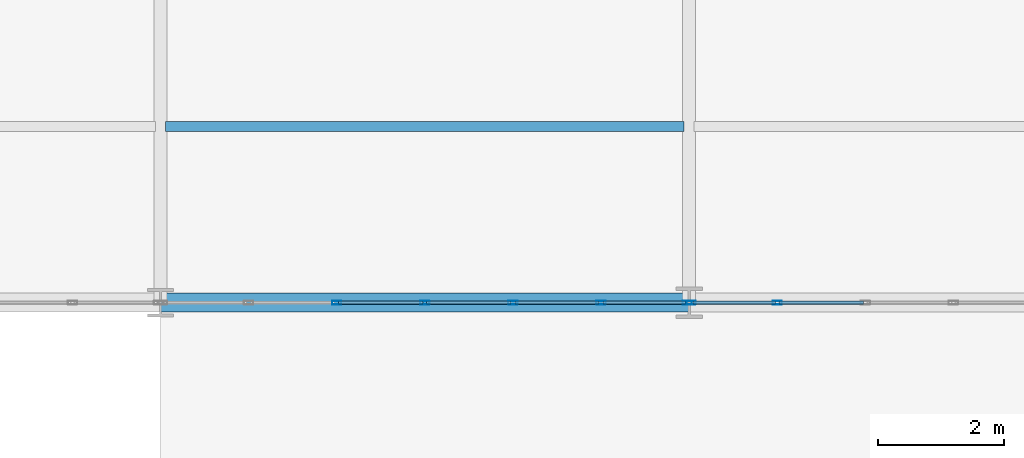
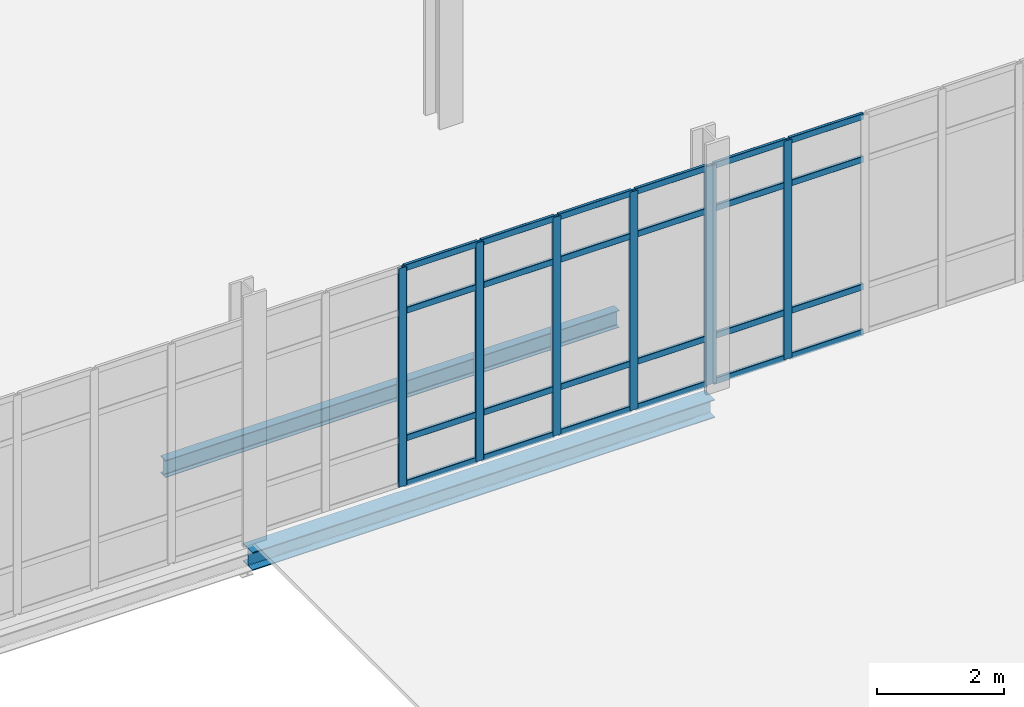
# One storey, part 81 of 145: 31 members, 2 beams, 2 elements without a shape of their own.
"""IFC4 building model written with IfcOpenShell, lengths in metres."""

from ifc_helpers import new_model, si_unit, direction, frame, origin, origin_2d, place, context, subcontext, project, spatial, hollow_rectangle, i_section, extrude, material, layer, layer_set, material_profile, profile_set, type_object, element, aggregate, save


model = new_model("IFC4")

# Units and contexts
model_context = context("Model", 3, precision=1e-05, world=origin(), true_north=direction((0.0, 1.0)))
body_context = subcontext(model_context, "Body", "Model", "MODEL_VIEW")
ifc_project = project(units=[si_unit("LENGTHUNIT", "METRE"), si_unit("AREAUNIT", "SQUARE_METRE"), si_unit("VOLUMEUNIT", "CUBIC_METRE"), si_unit("PLANEANGLEUNIT", "RADIAN"), si_unit("MASSUNIT", "GRAM", prefix="KILO")], contexts=[model_context])

# Site, building, storey
site_placement = place(None, origin())
site = spatial("IfcSite", under=ifc_project, at=site_placement, CompositionType="ELEMENT")
building_placement = place(site_placement, origin())
building = spatial("IfcBuilding", under=site, at=building_placement, Name="Qalvenar Corner Mobility Hub", CompositionType="ELEMENT")
storey_placement = place(building_placement, origin())
storey = spatial("IfcBuildingStorey", under=building, at=storey_placement, Name="L00", CompositionType="ELEMENT", Elevation=0.0)

# Beams
ifc_material_1 = material(Name="Steel S355", Category="steel")
ifc_material_profile_1 = material_profile(ifc_material_1, i_section(OverallWidth=0.159912109375, OverallDepth=0.330078125, WebThickness=0.007568359375, FlangeThickness=0.011474609375, FilletRadius=0.01806640625, at=origin_2d()), Name="IPE330")
ifc_profile_set_1 = profile_set([ifc_material_profile_1], Name="Steel S355")
beam_type_1 = type_object("IfcBeamType", Name="BM-JST330", PredefinedType="JOIST", material=ifc_profile_set_1)
beam_1_placement = place(storey_placement, frame((109.278076171875, 70.0, -0.385009765625), z_axis=(1.0, 0.0, 0.0), x_axis=(0.0, 1.0, 0.0)))
element("IfcBeam", 1, at=beam_1_placement, inside=storey, type_object=beam_type_1, Name="Composite Floor Joist J-0717", PredefinedType="JOIST", context=body_context, shape_type="SweptSolid", body=[
    extrude(i_section(OverallWidth=0.159912109375, OverallDepth=0.330078125, WebThickness=0.007568359375, FlangeThickness=0.011474609375, FilletRadius=0.01806640625, at=origin_2d()), origin(), (0.0, 0.0, 1.0), 8.243896484375),
])
ifc_material_profile_2 = material_profile(ifc_material_1, i_section(OverallWidth=0.300048828125, OverallDepth=0.35009765625, WebThickness=0.010009765625, FlangeThickness=0.017578125, FilletRadius=0.027099609375, at=origin_2d()), Name="HEA360")
ifc_profile_set_2 = profile_set([ifc_material_profile_2], Name="Steel S355")
beam_type_2 = type_object("IfcBeamType", Name="BM-SPN360", PredefinedType="SPANDREL", material=ifc_profile_set_2)
beam_2_placement = place(storey_placement, frame((109.199951171875, 67.199951171875, -0.39501953125), z_axis=(1.0, 0.0, 0.0), x_axis=(0.0, 1.0, 0.0)))
element("IfcBeam", 2, at=beam_2_placement, inside=storey, type_object=beam_type_2, Name="Primary Steel Girder GX-0528", PredefinedType="SPANDREL", context=body_context, shape_type="SweptSolid", body=[
    extrude(i_section(OverallWidth=0.300048828125, OverallDepth=0.35009765625, WebThickness=0.010009765625, FlangeThickness=0.017578125, FilletRadius=0.027099609375, at=origin_2d()), origin(), (0.0, 0.0, 1.0), 8.400146484375),
])

# Curtain wall, members
ifc_material_2 = material(Name="Anodised Aluminium and Low-E Glazing", Category="aluminium")
ifc_layer = layer(ifc_material_2, 0.14990234375)
ifc_layer_set = layer_set([ifc_layer], Name="Anodised Aluminium and Low-E Glazing")
curtain_wall_type = type_object("IfcCurtainWallType", Name="CW-MOB-84X46", PredefinedType="NOTDEFINED", material=ifc_layer_set)
curtain_wall_1_placement = place(storey_placement, origin())
curtain_wall_1 = element("IfcCurtainWall", 3, at=curtain_wall_1_placement, inside=storey, type_object=curtain_wall_type, Name="Glazed Curtain Wall CW-V4-L00-S6", PredefinedType="NOTDEFINED")
ifc_material_3 = material(Name="Anodised Aluminium 6063-T6", Category="aluminium")
ifc_material_profile_3 = material_profile(ifc_material_3, hollow_rectangle(XDim=0.06005859375, YDim=0.14990234375, WallThickness=0.00390625, InnerFilletRadius=0.00390625, OuterFilletRadius=0.008056640625, at=origin_2d()), Name="RHS150x60x4")
ifc_profile_set_3 = profile_set([ifc_material_profile_3], Name="Anodised Aluminium 6063-T6")
member_type_1 = type_object("IfcMemberType", Name="CW-MUL150", PredefinedType="MULLION", material=ifc_profile_set_3)
member_1_placement = place(storey_placement, frame((112.0, 67.199951171875, 0.0), z_axis=(0.0, 0.0, 1.0), x_axis=(0.0, 1.0, 0.0)))
member_1 = element("IfcMember", 4, at=member_1_placement, type_object=member_type_1, Name="CW-03 mullion 3", PredefinedType="MULLION", context=body_context, shape_type="SweptSolid", body=[
    extrude(hollow_rectangle(XDim=0.06005859375, YDim=0.14990234375, WallThickness=0.00390625, InnerFilletRadius=0.00390625, OuterFilletRadius=0.008056640625, at=origin_2d()), origin(), (0.0, 0.0, 1.0), 4.199951171875),
])
member_2_placement = place(storey_placement, frame((113.39990234375, 67.199951171875, 0.0), z_axis=(0.0, 0.0, 1.0), x_axis=(0.0, 1.0, 0.0)))
member_2 = element("IfcMember", 5, at=member_2_placement, type_object=member_type_1, Name="CW-03 mullion 4", PredefinedType="MULLION", context=body_context, shape_type="SweptSolid", body=[
    extrude(hollow_rectangle(XDim=0.06005859375, YDim=0.14990234375, WallThickness=0.00390625, InnerFilletRadius=0.00390625, OuterFilletRadius=0.008056640625, at=origin_2d()), origin(), (0.0, 0.0, 1.0), 4.199951171875),
])
member_3_placement = place(storey_placement, frame((114.800048828125, 67.199951171875, 0.0), z_axis=(0.0, 0.0, 1.0), x_axis=(0.0, 1.0, 0.0)))
member_3 = element("IfcMember", 6, at=member_3_placement, type_object=member_type_1, Name="CW-03 mullion 5", PredefinedType="MULLION", context=body_context, shape_type="SweptSolid", body=[
    extrude(hollow_rectangle(XDim=0.06005859375, YDim=0.14990234375, WallThickness=0.00390625, InnerFilletRadius=0.00390625, OuterFilletRadius=0.008056640625, at=origin_2d()), origin(), (0.0, 0.0, 1.0), 4.199951171875),
])
member_4_placement = place(storey_placement, frame((116.199951171875, 67.199951171875, 0.0), z_axis=(0.0, 0.0, 1.0), x_axis=(0.0, 1.0, 0.0)))
member_4 = element("IfcMember", 7, at=member_4_placement, type_object=member_type_1, Name="CW-03 mullion 6", PredefinedType="MULLION", context=body_context, shape_type="SweptSolid", body=[
    extrude(hollow_rectangle(XDim=0.06005859375, YDim=0.14990234375, WallThickness=0.00390625, InnerFilletRadius=0.00390625, OuterFilletRadius=0.008056640625, at=origin_2d()), origin(), (0.0, 0.0, 1.0), 4.199951171875),
])
member_5_placement = place(storey_placement, frame((117.570068359375, 67.199951171875, 0.0), z_axis=(0.0, 0.0, 1.0), x_axis=(0.0, 1.0, 0.0)))
member_5 = element("IfcMember", 8, at=member_5_placement, type_object=member_type_1, Name="CW-03 mullion 7", PredefinedType="MULLION", context=body_context, shape_type="SweptSolid", body=[
    extrude(hollow_rectangle(XDim=0.06005859375, YDim=0.14990234375, WallThickness=0.00390625, InnerFilletRadius=0.00390625, OuterFilletRadius=0.008056640625, at=origin_2d()), origin(), (0.0, 0.0, 1.0), 4.199951171875),
])

curtain_wall_2_placement = place(storey_placement, origin())
curtain_wall_2 = element("IfcCurtainWall", 9, at=curtain_wall_2_placement, inside=storey, type_object=curtain_wall_type, Name="Glazed Curtain Wall CW-V4-L00-S7", PredefinedType="NOTDEFINED")
member_6_placement = place(storey_placement, frame((117.6298828125, 67.199951171875, 0.0), z_axis=(0.0, 0.0, 1.0), x_axis=(0.0, 1.0, 0.0)))
member_6 = element("IfcMember", 10, at=member_6_placement, type_object=member_type_1, Name="CW-03 mullion 1", PredefinedType="MULLION", context=body_context, shape_type="SweptSolid", body=[
    extrude(hollow_rectangle(XDim=0.06005859375, YDim=0.14990234375, WallThickness=0.00390625, InnerFilletRadius=0.00390625, OuterFilletRadius=0.008056640625, at=origin_2d()), origin(), (0.0, 0.0, 1.0), 4.199951171875),
])
member_7_placement = place(storey_placement, frame((119.0, 67.199951171875, 0.0), z_axis=(0.0, 0.0, 1.0), x_axis=(0.0, 1.0, 0.0)))
member_7 = element("IfcMember", 11, at=member_7_placement, type_object=member_type_1, Name="CW-03 mullion 2", PredefinedType="MULLION", context=body_context, shape_type="SweptSolid", body=[
    extrude(hollow_rectangle(XDim=0.06005859375, YDim=0.14990234375, WallThickness=0.00390625, InnerFilletRadius=0.00390625, OuterFilletRadius=0.008056640625, at=origin_2d()), origin(), (0.0, 0.0, 1.0), 4.199951171875),
])

# Member
ifc_material_profile_4 = material_profile(ifc_material_3, hollow_rectangle(XDim=0.054931640625, YDim=0.1201171875, WallThickness=0.00341796875, InnerFilletRadius=0.00341796875, OuterFilletRadius=0.007080078125, at=origin_2d()), Name="RHS120x55x3.5")
ifc_profile_set_4 = profile_set([ifc_material_profile_4], Name="Anodised Aluminium 6063-T6")
member_type_2 = type_object("IfcMemberType", Name="CW-TRN120", PredefinedType="USERDEFINED", material=ifc_profile_set_4)
member_8_placement = place(storey_placement, frame((112.030029296875, 67.199951171875, 0.027587890625), z_axis=(1.0, 0.0, 0.0), x_axis=(0.0, 1.0, 0.0)))
member_8 = element("IfcMember", 12, at=member_8_placement, type_object=member_type_2, Name="CW-03 transom 3.1", ObjectType="TRANSOM", PredefinedType="USERDEFINED", context=body_context, shape_type="SweptSolid", body=[
    extrude(hollow_rectangle(XDim=0.054931640625, YDim=0.1201171875, WallThickness=0.00341796875, InnerFilletRadius=0.00341796875, OuterFilletRadius=0.007080078125, at=origin_2d()), origin(), (0.0, 0.0, 1.0), 1.340087890625),
])

member_9_placement = place(storey_placement, frame((112.030029296875, 67.199951171875, 0.89990234375), z_axis=(1.0, 0.0, 0.0), x_axis=(0.0, 1.0, 0.0)))
member_9 = element("IfcMember", 13, at=member_9_placement, type_object=member_type_2, Name="CW-03 transom 3.2", ObjectType="TRANSOM", PredefinedType="USERDEFINED", context=body_context, shape_type="SweptSolid", body=[
    extrude(hollow_rectangle(XDim=0.054931640625, YDim=0.1201171875, WallThickness=0.00341796875, InnerFilletRadius=0.00341796875, OuterFilletRadius=0.007080078125, at=origin_2d()), origin(), (0.0, 0.0, 1.0), 1.340087890625),
])

member_10_placement = place(storey_placement, frame((112.030029296875, 67.199951171875, 3.35009765625), z_axis=(1.0, 0.0, 0.0), x_axis=(0.0, 1.0, 0.0)))
member_10 = element("IfcMember", 14, at=member_10_placement, type_object=member_type_2, Name="CW-03 transom 3.3", ObjectType="TRANSOM", PredefinedType="USERDEFINED", context=body_context, shape_type="SweptSolid", body=[
    extrude(hollow_rectangle(XDim=0.054931640625, YDim=0.1201171875, WallThickness=0.00341796875, InnerFilletRadius=0.00341796875, OuterFilletRadius=0.007080078125, at=origin_2d()), origin(), (0.0, 0.0, 1.0), 1.340087890625),
])

member_11_placement = place(storey_placement, frame((112.030029296875, 67.199951171875, 4.172607421875), z_axis=(1.0, 0.0, 0.0), x_axis=(0.0, 1.0, 0.0)))
member_11 = element("IfcMember", 15, at=member_11_placement, type_object=member_type_2, Name="CW-03 transom 3.4", ObjectType="TRANSOM", PredefinedType="USERDEFINED", context=body_context, shape_type="SweptSolid", body=[
    extrude(hollow_rectangle(XDim=0.054931640625, YDim=0.1201171875, WallThickness=0.00341796875, InnerFilletRadius=0.00341796875, OuterFilletRadius=0.007080078125, at=origin_2d()), origin(), (0.0, 0.0, 1.0), 1.340087890625),
])

member_12_placement = place(storey_placement, frame((113.429931640625, 67.199951171875, 0.027587890625), z_axis=(1.0, 0.0, 0.0), x_axis=(0.0, 1.0, 0.0)))
member_12 = element("IfcMember", 16, at=member_12_placement, type_object=member_type_2, Name="CW-03 transom 4.1", ObjectType="TRANSOM", PredefinedType="USERDEFINED", context=body_context, shape_type="SweptSolid", body=[
    extrude(hollow_rectangle(XDim=0.054931640625, YDim=0.1201171875, WallThickness=0.00341796875, InnerFilletRadius=0.00341796875, OuterFilletRadius=0.007080078125, at=origin_2d()), origin(), (0.0, 0.0, 1.0), 1.340087890625),
])

member_13_placement = place(storey_placement, frame((113.429931640625, 67.199951171875, 0.89990234375), z_axis=(1.0, 0.0, 0.0), x_axis=(0.0, 1.0, 0.0)))
member_13 = element("IfcMember", 17, at=member_13_placement, type_object=member_type_2, Name="CW-03 transom 4.2", ObjectType="TRANSOM", PredefinedType="USERDEFINED", context=body_context, shape_type="SweptSolid", body=[
    extrude(hollow_rectangle(XDim=0.054931640625, YDim=0.1201171875, WallThickness=0.00341796875, InnerFilletRadius=0.00341796875, OuterFilletRadius=0.007080078125, at=origin_2d()), origin(), (0.0, 0.0, 1.0), 1.340087890625),
])

member_14_placement = place(storey_placement, frame((113.429931640625, 67.199951171875, 3.35009765625), z_axis=(1.0, 0.0, 0.0), x_axis=(0.0, 1.0, 0.0)))
member_14 = element("IfcMember", 18, at=member_14_placement, type_object=member_type_2, Name="CW-03 transom 4.3", ObjectType="TRANSOM", PredefinedType="USERDEFINED", context=body_context, shape_type="SweptSolid", body=[
    extrude(hollow_rectangle(XDim=0.054931640625, YDim=0.1201171875, WallThickness=0.00341796875, InnerFilletRadius=0.00341796875, OuterFilletRadius=0.007080078125, at=origin_2d()), origin(), (0.0, 0.0, 1.0), 1.340087890625),
])

member_15_placement = place(storey_placement, frame((113.429931640625, 67.199951171875, 4.172607421875), z_axis=(1.0, 0.0, 0.0), x_axis=(0.0, 1.0, 0.0)))
member_15 = element("IfcMember", 19, at=member_15_placement, type_object=member_type_2, Name="CW-03 transom 4.4", ObjectType="TRANSOM", PredefinedType="USERDEFINED", context=body_context, shape_type="SweptSolid", body=[
    extrude(hollow_rectangle(XDim=0.054931640625, YDim=0.1201171875, WallThickness=0.00341796875, InnerFilletRadius=0.00341796875, OuterFilletRadius=0.007080078125, at=origin_2d()), origin(), (0.0, 0.0, 1.0), 1.340087890625),
])

member_16_placement = place(storey_placement, frame((114.830078125, 67.199951171875, 0.027587890625), z_axis=(1.0, 0.0, 0.0), x_axis=(0.0, 1.0, 0.0)))
member_16 = element("IfcMember", 20, at=member_16_placement, type_object=member_type_2, Name="CW-03 transom 5.1", ObjectType="TRANSOM", PredefinedType="USERDEFINED", context=body_context, shape_type="SweptSolid", body=[
    extrude(hollow_rectangle(XDim=0.054931640625, YDim=0.1201171875, WallThickness=0.00341796875, InnerFilletRadius=0.00341796875, OuterFilletRadius=0.007080078125, at=origin_2d()), origin(), (0.0, 0.0, 1.0), 1.33984375),
])

member_17_placement = place(storey_placement, frame((114.830078125, 67.199951171875, 0.89990234375), z_axis=(1.0, 0.0, 0.0), x_axis=(0.0, 1.0, 0.0)))
member_17 = element("IfcMember", 21, at=member_17_placement, type_object=member_type_2, Name="CW-03 transom 5.2", ObjectType="TRANSOM", PredefinedType="USERDEFINED", context=body_context, shape_type="SweptSolid", body=[
    extrude(hollow_rectangle(XDim=0.054931640625, YDim=0.1201171875, WallThickness=0.00341796875, InnerFilletRadius=0.00341796875, OuterFilletRadius=0.007080078125, at=origin_2d()), origin(), (0.0, 0.0, 1.0), 1.33984375),
])

member_18_placement = place(storey_placement, frame((114.830078125, 67.199951171875, 3.35009765625), z_axis=(1.0, 0.0, 0.0), x_axis=(0.0, 1.0, 0.0)))
member_18 = element("IfcMember", 22, at=member_18_placement, type_object=member_type_2, Name="CW-03 transom 5.3", ObjectType="TRANSOM", PredefinedType="USERDEFINED", context=body_context, shape_type="SweptSolid", body=[
    extrude(hollow_rectangle(XDim=0.054931640625, YDim=0.1201171875, WallThickness=0.00341796875, InnerFilletRadius=0.00341796875, OuterFilletRadius=0.007080078125, at=origin_2d()), origin(), (0.0, 0.0, 1.0), 1.33984375),
])

member_19_placement = place(storey_placement, frame((114.830078125, 67.199951171875, 4.172607421875), z_axis=(1.0, 0.0, 0.0), x_axis=(0.0, 1.0, 0.0)))
member_19 = element("IfcMember", 23, at=member_19_placement, type_object=member_type_2, Name="CW-03 transom 5.4", ObjectType="TRANSOM", PredefinedType="USERDEFINED", context=body_context, shape_type="SweptSolid", body=[
    extrude(hollow_rectangle(XDim=0.054931640625, YDim=0.1201171875, WallThickness=0.00341796875, InnerFilletRadius=0.00341796875, OuterFilletRadius=0.007080078125, at=origin_2d()), origin(), (0.0, 0.0, 1.0), 1.33984375),
])

member_20_placement = place(storey_placement, frame((116.22998046875, 67.199951171875, 0.027587890625), z_axis=(1.0, 0.0, 0.0), x_axis=(0.0, 1.0, 0.0)))
member_20 = element("IfcMember", 24, at=member_20_placement, type_object=member_type_2, Name="CW-03 transom 6.1", ObjectType="TRANSOM", PredefinedType="USERDEFINED", context=body_context, shape_type="SweptSolid", body=[
    extrude(hollow_rectangle(XDim=0.054931640625, YDim=0.1201171875, WallThickness=0.00341796875, InnerFilletRadius=0.00341796875, OuterFilletRadius=0.007080078125, at=origin_2d()), origin(), (0.0, 0.0, 1.0), 1.31005859375),
])

member_21_placement = place(storey_placement, frame((116.22998046875, 67.199951171875, 0.89990234375), z_axis=(1.0, 0.0, 0.0), x_axis=(0.0, 1.0, 0.0)))
member_21 = element("IfcMember", 25, at=member_21_placement, type_object=member_type_2, Name="CW-03 transom 6.2", ObjectType="TRANSOM", PredefinedType="USERDEFINED", context=body_context, shape_type="SweptSolid", body=[
    extrude(hollow_rectangle(XDim=0.054931640625, YDim=0.1201171875, WallThickness=0.00341796875, InnerFilletRadius=0.00341796875, OuterFilletRadius=0.007080078125, at=origin_2d()), origin(), (0.0, 0.0, 1.0), 1.31005859375),
])

member_22_placement = place(storey_placement, frame((116.22998046875, 67.199951171875, 3.35009765625), z_axis=(1.0, 0.0, 0.0), x_axis=(0.0, 1.0, 0.0)))
member_22 = element("IfcMember", 26, at=member_22_placement, type_object=member_type_2, Name="CW-03 transom 6.3", ObjectType="TRANSOM", PredefinedType="USERDEFINED", context=body_context, shape_type="SweptSolid", body=[
    extrude(hollow_rectangle(XDim=0.054931640625, YDim=0.1201171875, WallThickness=0.00341796875, InnerFilletRadius=0.00341796875, OuterFilletRadius=0.007080078125, at=origin_2d()), origin(), (0.0, 0.0, 1.0), 1.31005859375),
])

member_23_placement = place(storey_placement, frame((116.22998046875, 67.199951171875, 4.172607421875), z_axis=(1.0, 0.0, 0.0), x_axis=(0.0, 1.0, 0.0)))
member_23 = element("IfcMember", 27, at=member_23_placement, type_object=member_type_2, Name="CW-03 transom 6.4", ObjectType="TRANSOM", PredefinedType="USERDEFINED", context=body_context, shape_type="SweptSolid", body=[
    extrude(hollow_rectangle(XDim=0.054931640625, YDim=0.1201171875, WallThickness=0.00341796875, InnerFilletRadius=0.00341796875, OuterFilletRadius=0.007080078125, at=origin_2d()), origin(), (0.0, 0.0, 1.0), 1.31005859375),
])

aggregate(curtain_wall_1, [member_1, member_2, member_3, member_4, member_5, member_8, member_9, member_10, member_11, member_12, member_13, member_14, member_15, member_16, member_17, member_18, member_19, member_20, member_21, member_22, member_23])

member_24_placement = place(storey_placement, frame((117.659912109375, 67.199951171875, 0.027587890625), z_axis=(1.0, 0.0, 0.0), x_axis=(0.0, 1.0, 0.0)))
member_24 = element("IfcMember", 28, at=member_24_placement, type_object=member_type_2, Name="CW-03 transom 1.1", ObjectType="TRANSOM", PredefinedType="USERDEFINED", context=body_context, shape_type="SweptSolid", body=[
    extrude(hollow_rectangle(XDim=0.054931640625, YDim=0.1201171875, WallThickness=0.00341796875, InnerFilletRadius=0.00341796875, OuterFilletRadius=0.007080078125, at=origin_2d()), origin(), (0.0, 0.0, 1.0), 1.31005859375),
])

member_25_placement = place(storey_placement, frame((117.659912109375, 67.199951171875, 0.89990234375), z_axis=(1.0, 0.0, 0.0), x_axis=(0.0, 1.0, 0.0)))
member_25 = element("IfcMember", 29, at=member_25_placement, type_object=member_type_2, Name="CW-03 transom 1.2", ObjectType="TRANSOM", PredefinedType="USERDEFINED", context=body_context, shape_type="SweptSolid", body=[
    extrude(hollow_rectangle(XDim=0.054931640625, YDim=0.1201171875, WallThickness=0.00341796875, InnerFilletRadius=0.00341796875, OuterFilletRadius=0.007080078125, at=origin_2d()), origin(), (0.0, 0.0, 1.0), 1.31005859375),
])

member_26_placement = place(storey_placement, frame((117.659912109375, 67.199951171875, 3.35009765625), z_axis=(1.0, 0.0, 0.0), x_axis=(0.0, 1.0, 0.0)))
member_26 = element("IfcMember", 30, at=member_26_placement, type_object=member_type_2, Name="CW-03 transom 1.3", ObjectType="TRANSOM", PredefinedType="USERDEFINED", context=body_context, shape_type="SweptSolid", body=[
    extrude(hollow_rectangle(XDim=0.054931640625, YDim=0.1201171875, WallThickness=0.00341796875, InnerFilletRadius=0.00341796875, OuterFilletRadius=0.007080078125, at=origin_2d()), origin(), (0.0, 0.0, 1.0), 1.31005859375),
])

member_27_placement = place(storey_placement, frame((117.659912109375, 67.199951171875, 4.172607421875), z_axis=(1.0, 0.0, 0.0), x_axis=(0.0, 1.0, 0.0)))
member_27 = element("IfcMember", 31, at=member_27_placement, type_object=member_type_2, Name="CW-03 transom 1.4", ObjectType="TRANSOM", PredefinedType="USERDEFINED", context=body_context, shape_type="SweptSolid", body=[
    extrude(hollow_rectangle(XDim=0.054931640625, YDim=0.1201171875, WallThickness=0.00341796875, InnerFilletRadius=0.00341796875, OuterFilletRadius=0.007080078125, at=origin_2d()), origin(), (0.0, 0.0, 1.0), 1.31005859375),
])

member_28_placement = place(storey_placement, frame((119.030029296875, 67.199951171875, 0.027587890625), z_axis=(1.0, 0.0, 0.0), x_axis=(0.0, 1.0, 0.0)))
member_28 = element("IfcMember", 32, at=member_28_placement, type_object=member_type_2, Name="CW-03 transom 2.1", ObjectType="TRANSOM", PredefinedType="USERDEFINED", context=body_context, shape_type="SweptSolid", body=[
    extrude(hollow_rectangle(XDim=0.054931640625, YDim=0.1201171875, WallThickness=0.00341796875, InnerFilletRadius=0.00341796875, OuterFilletRadius=0.007080078125, at=origin_2d()), origin(), (0.0, 0.0, 1.0), 1.340087890625),
])

member_29_placement = place(storey_placement, frame((119.030029296875, 67.199951171875, 0.89990234375), z_axis=(1.0, 0.0, 0.0), x_axis=(0.0, 1.0, 0.0)))
member_29 = element("IfcMember", 33, at=member_29_placement, type_object=member_type_2, Name="CW-03 transom 2.2", ObjectType="TRANSOM", PredefinedType="USERDEFINED", context=body_context, shape_type="SweptSolid", body=[
    extrude(hollow_rectangle(XDim=0.054931640625, YDim=0.1201171875, WallThickness=0.00341796875, InnerFilletRadius=0.00341796875, OuterFilletRadius=0.007080078125, at=origin_2d()), origin(), (0.0, 0.0, 1.0), 1.340087890625),
])

member_30_placement = place(storey_placement, frame((119.030029296875, 67.199951171875, 3.35009765625), z_axis=(1.0, 0.0, 0.0), x_axis=(0.0, 1.0, 0.0)))
member_30 = element("IfcMember", 34, at=member_30_placement, type_object=member_type_2, Name="CW-03 transom 2.3", ObjectType="TRANSOM", PredefinedType="USERDEFINED", context=body_context, shape_type="SweptSolid", body=[
    extrude(hollow_rectangle(XDim=0.054931640625, YDim=0.1201171875, WallThickness=0.00341796875, InnerFilletRadius=0.00341796875, OuterFilletRadius=0.007080078125, at=origin_2d()), origin(), (0.0, 0.0, 1.0), 1.340087890625),
])

member_31_placement = place(storey_placement, frame((119.030029296875, 67.199951171875, 4.172607421875), z_axis=(1.0, 0.0, 0.0), x_axis=(0.0, 1.0, 0.0)))
member_31 = element("IfcMember", 35, at=member_31_placement, type_object=member_type_2, Name="CW-03 transom 2.4", ObjectType="TRANSOM", PredefinedType="USERDEFINED", context=body_context, shape_type="SweptSolid", body=[
    extrude(hollow_rectangle(XDim=0.054931640625, YDim=0.1201171875, WallThickness=0.00341796875, InnerFilletRadius=0.00341796875, OuterFilletRadius=0.007080078125, at=origin_2d()), origin(), (0.0, 0.0, 1.0), 1.340087890625),
])

aggregate(curtain_wall_2, [member_6, member_7, member_24, member_25, member_26, member_27, member_28, member_29, member_30, member_31])

save(model, "model.ifc")
